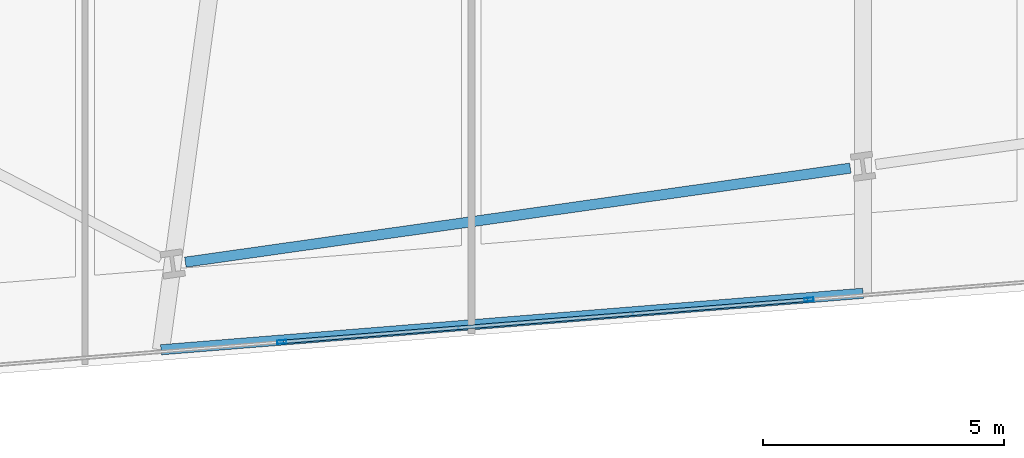
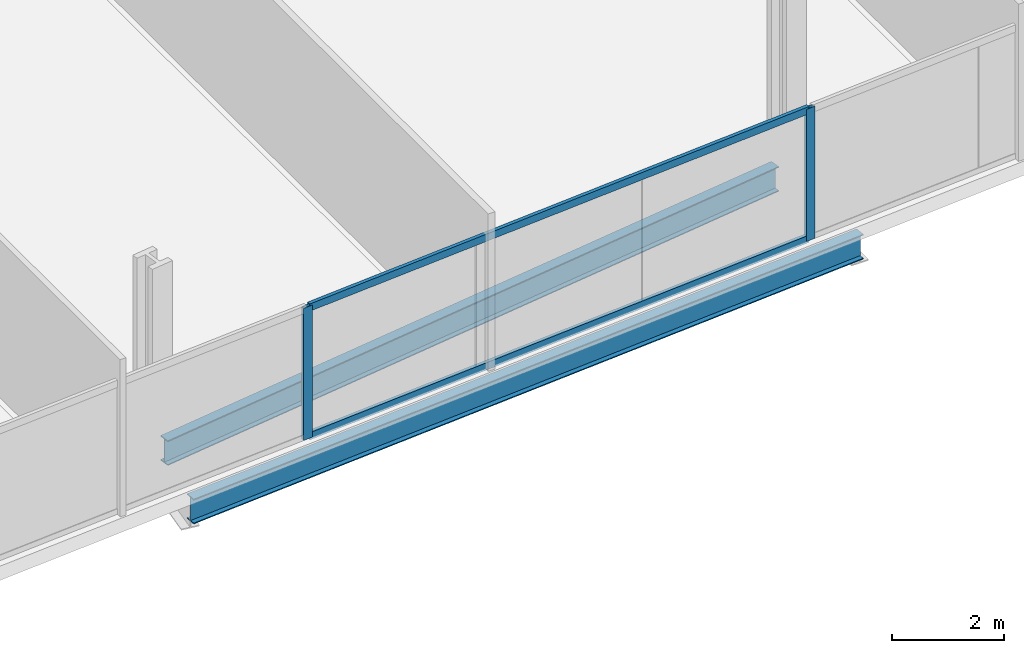
# One storey, part 5 of 33: 4 members, 2 beams, 1 element without a shape of its own.
"""IFC4 building model written with IfcOpenShell, lengths in metres."""

from ifc_helpers import new_model, si_unit, direction, frame, origin, origin_2d, place, context, subcontext, project, spatial, hollow_rectangle, i_section, extrude, material, material_profile, profile_set, type_object, element, aggregate, save


model = new_model("IFC4")

# Units and contexts
model_context = context("Model", 3, precision=1e-05, world=origin(), true_north=direction((0.0, 1.0)))
body_context = subcontext(model_context, "Body", "Model", "MODEL_VIEW")
ifc_project = project(units=[si_unit("LENGTHUNIT", "METRE"), si_unit("AREAUNIT", "SQUARE_METRE"), si_unit("VOLUMEUNIT", "CUBIC_METRE"), si_unit("PLANEANGLEUNIT", "RADIAN"), si_unit("MASSUNIT", "GRAM", prefix="KILO")], contexts=[model_context])

# Site, building, storey
site_placement = place(None, origin())
site = spatial("IfcSite", under=ifc_project, at=site_placement, CompositionType="ELEMENT")
building_placement = place(site_placement, origin())
building = spatial("IfcBuilding", under=site, at=building_placement, Name="Haldenkirk Collegiate Tower", CompositionType="ELEMENT")
storey_placement = place(building_placement, frame((0.0, 0.0, 43.949951171875)))
storey = spatial("IfcBuildingStorey", under=building, at=storey_placement, Name="L09", CompositionType="ELEMENT", Elevation=43.949951171875)

# Beams
ifc_material_1 = material(Name="Steel ASTM A992 Grade 50", Category="steel")
ifc_material_profile_1 = material_profile(ifc_material_1, i_section(OverallWidth=0.2119140625, OverallDepth=0.5439453125, WebThickness=0.01318359375, FlangeThickness=0.021240234375, at=origin_2d()), Name="W21X83")
ifc_profile_set_1 = profile_set([ifc_material_profile_1], Name="Steel ASTM A992 Grade 50")
beam_type = type_object("IfcBeamType", Name="BM-SPANDREL-W21X83", PredefinedType="SPANDREL", material=ifc_profile_set_1)
beam_1_placement = place(storey_placement, frame((25.076904296875, 2.0341796875, -0.58203125), z_axis=(0.990146197746, 0.14003752029, 0.0), x_axis=(-0.14003752029, 0.990146197746, 0.0)))
element("IfcBeam", 1, at=beam_1_placement, inside=storey, type_object=beam_type, Name="L09 perimeter spandrel beam 02", PredefinedType="SPANDREL", context=body_context, shape_type="SweptSolid", body=[
    extrude(i_section(OverallWidth=0.2119140625, OverallDepth=0.5439453125, WebThickness=0.01318359375, FlangeThickness=0.021240234375, at=origin_2d()), origin(), (0.0, 0.0, 1.0), 13.906982421875),
])
beam_2_placement = place(storey_placement, frame((24.572509765625, 0.220458984375, -0.58203125), z_axis=(0.996778283043, 0.080206324282, 0.0), x_axis=(-0.080206324282, 0.996778283043, 0.0)))
element("IfcBeam", 2, at=beam_2_placement, inside=storey, type_object=beam_type, Name="L09 outer facade edge beam 1", PredefinedType="SPANDREL", context=body_context, shape_type="SweptSolid", body=[
    extrude(i_section(OverallWidth=0.2119140625, OverallDepth=0.5439453125, WebThickness=0.01318359375, FlangeThickness=0.021240234375, at=origin_2d()), origin(), (0.0, 0.0, 1.0), 14.583251953125),
])

# Curtain wall, members
ifc_material_2 = material(Name="Anodised architectural bronze aluminium", Category="aluminium")
curtain_wall_type = type_object("IfcCurtainWallType", Name="CW-SYS2-CONCAVE", PredefinedType="USERDEFINED", material=ifc_material_2)
curtain_wall_placement = place(storey_placement, origin())
curtain_wall = element("IfcCurtainWall", 3, at=curtain_wall_placement, inside=storey, type_object=curtain_wall_type, Name="L09 South concave recessed bronze-anodised curtain wall", ObjectType="UNITISED CURTAIN WALL", PredefinedType="USERDEFINED")
ifc_material_profile_2 = material_profile(ifc_material_2, hollow_rectangle(XDim=0.074951171875, YDim=0.18994140625, WallThickness=0.0048828125, at=origin_2d()), Name="CW-MUL-02")
ifc_profile_set_2 = profile_set([ifc_material_profile_2], Name="Anodised architectural bronze aluminium")
member_type_1 = type_object("IfcMemberType", Name="CW-MUL-02", PredefinedType="MULLION", material=ifc_profile_set_2)
member_1_placement = place(storey_placement, frame((37.990478515625, 1.260009765625, 0.0), z_axis=(0.0, 0.0, 1.0), x_axis=(0.08019865918, -0.99677889979, 0.0)))
member_1 = element("IfcMember", 4, at=member_1_placement, type_object=member_type_1, Name="CW-02 mullion 3", PredefinedType="MULLION", context=body_context, shape_type="SweptSolid", body=[
    extrude(hollow_rectangle(XDim=0.074951171875, YDim=0.18994140625, WallThickness=0.0048828125, at=origin_2d()), origin(), (0.0, 0.0, 1.0), 2.89111328125),
])
member_2_placement = place(storey_placement, frame((27.075927734375, 0.3818359375, 0.0), z_axis=(0.0, 0.0, 1.0), x_axis=(0.08019865918, -0.99677889979, 0.0)))
member_2 = element("IfcMember", 5, at=member_2_placement, type_object=member_type_1, Name="CW-02 mullion 4", PredefinedType="MULLION", context=body_context, shape_type="SweptSolid", body=[
    extrude(hollow_rectangle(XDim=0.074951171875, YDim=0.18994140625, WallThickness=0.0048828125, at=origin_2d()), origin(), (0.0, 0.0, 1.0), 2.89111328125),
])
ifc_material_profile_3 = material_profile(ifc_material_2, hollow_rectangle(XDim=0.074951171875, YDim=0.159912109375, WallThickness=0.0048828125, at=origin_2d()), Name="CW-TRN-02")
ifc_profile_set_3 = profile_set([ifc_material_profile_3], Name="Anodised architectural bronze aluminium")
member_type_2 = type_object("IfcMemberType", Name="CW-TRN-02", PredefinedType="USERDEFINED", material=ifc_profile_set_3)
member_3_placement = place(storey_placement, frame((37.953125, 1.2568359375, 0.03759765625), z_axis=(-0.99677948714, -0.08019135874, 0.0), x_axis=(0.08019135874, -0.99677948714, 0.0)))
member_3 = element("IfcMember", 6, at=member_3_placement, type_object=member_type_2, Name="CW-02 transom 3.1", ObjectType="TRANSOM", PredefinedType="USERDEFINED", context=body_context, shape_type="SweptSolid", body=[
    extrude(hollow_rectangle(XDim=0.074951171875, YDim=0.159912109375, WallThickness=0.0048828125, at=origin_2d()), origin(), (0.0, 0.0, 1.0), 10.874755859375),
])
member_4_placement = place(storey_placement, frame((37.953125, 1.2568359375, 2.853515625), z_axis=(-0.99677948714, -0.08019135874, 0.0), x_axis=(0.08019135874, -0.99677948714, 0.0)))
member_4 = element("IfcMember", 7, at=member_4_placement, type_object=member_type_2, Name="CW-02 transom 3.2", ObjectType="TRANSOM", PredefinedType="USERDEFINED", context=body_context, shape_type="SweptSolid", body=[
    extrude(hollow_rectangle(XDim=0.074951171875, YDim=0.159912109375, WallThickness=0.0048828125, at=origin_2d()), origin(), (0.0, 0.0, 1.0), 10.874755859375),
])
aggregate(curtain_wall, [member_1, member_2, member_3, member_4])

save(model, "model.ifc")
